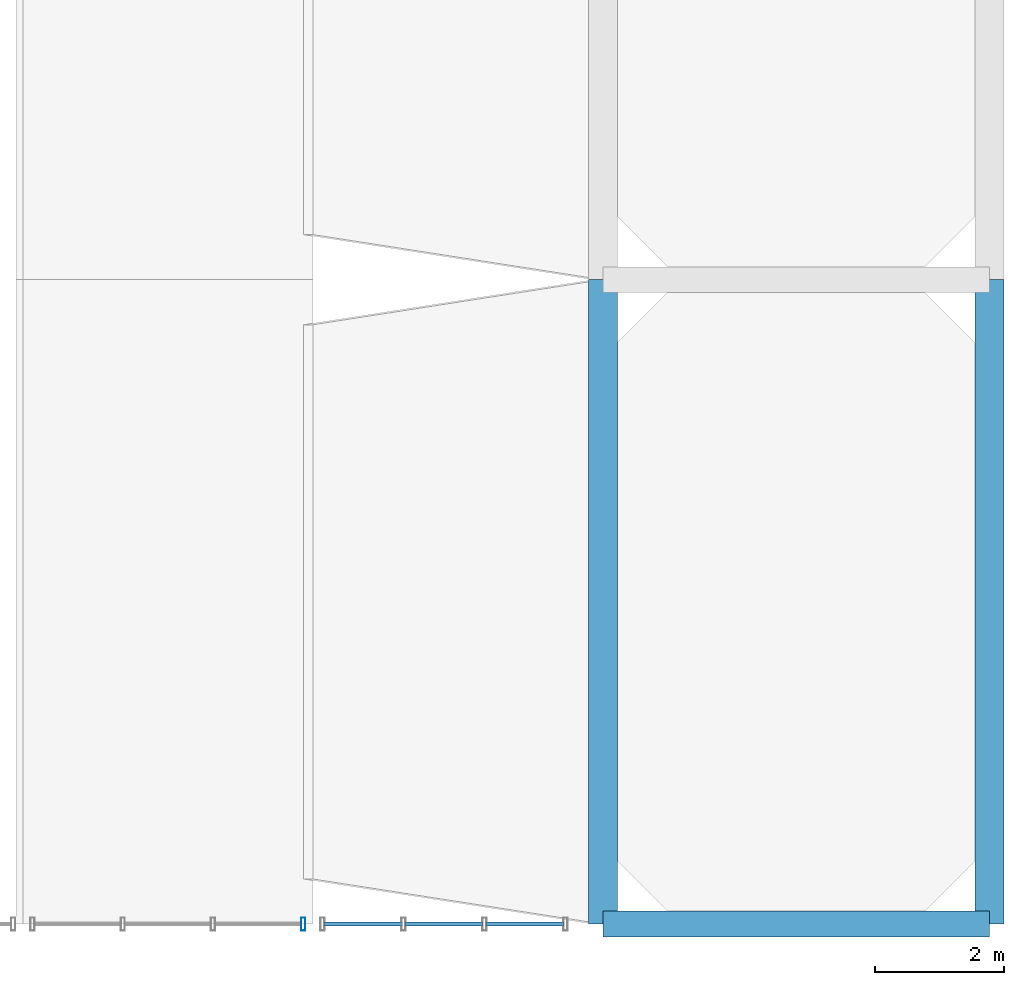
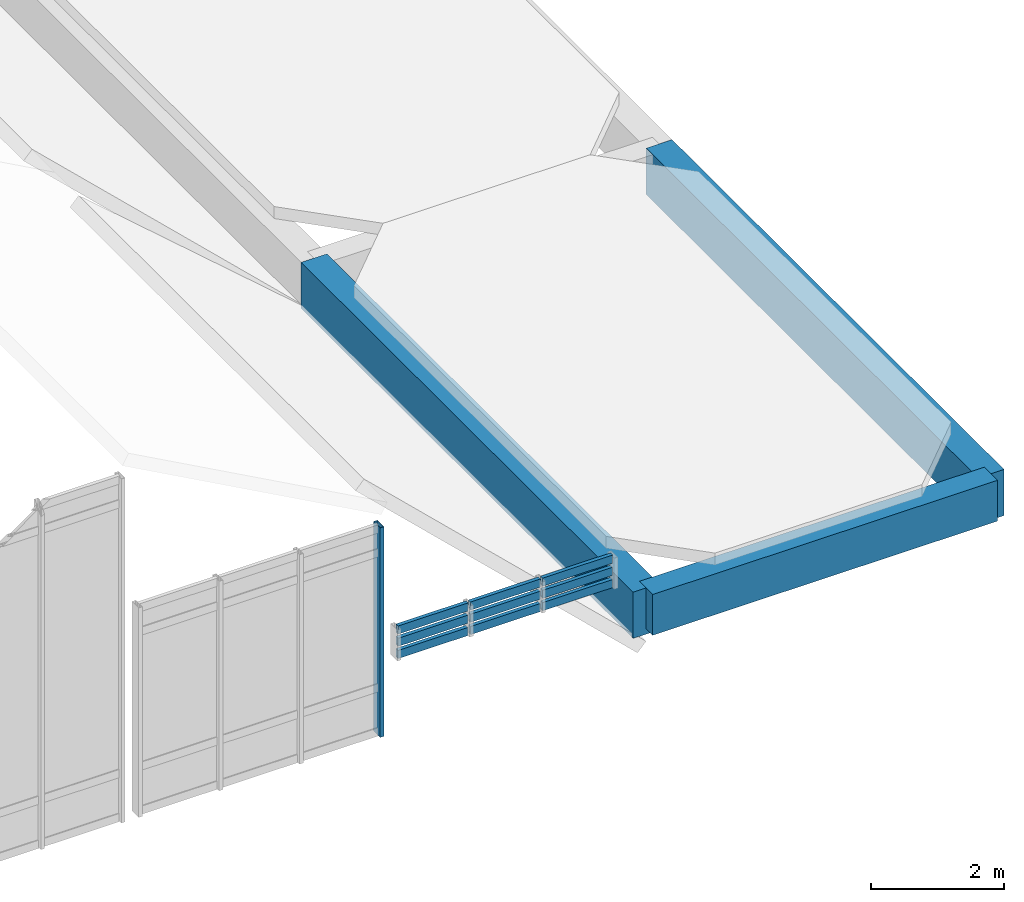
# One storey, part 46 of 82: 10 members, 3 beams, 2 elements without a shape of their own.
"""IFC4 building model written with IfcOpenShell, lengths in metres."""

from ifc_helpers import new_model, si_unit, direction, frame, origin, origin_2d, place, context, subcontext, project, spatial, rectangle, hollow_rectangle, extrude, material, layer, layer_set, material_profile, profile_set, type_object, element, aggregate, save


model = new_model("IFC4")

# Units and contexts
model_context = context("Model", 3, precision=1e-05, world=origin(), true_north=direction((0.0, 1.0)))
body_context = subcontext(model_context, "Body", "Model", "MODEL_VIEW")
ifc_project = project(units=[si_unit("LENGTHUNIT", "METRE"), si_unit("AREAUNIT", "SQUARE_METRE"), si_unit("VOLUMEUNIT", "CUBIC_METRE"), si_unit("PLANEANGLEUNIT", "RADIAN"), si_unit("MASSUNIT", "GRAM", prefix="KILO")], contexts=[model_context])

# Site, building, storey
site_placement = place(None, origin())
site = spatial("IfcSite", under=ifc_project, at=site_placement, CompositionType="ELEMENT")
building_placement = place(site_placement, origin())
building = spatial("IfcBuilding", under=site, at=building_placement, Name="Mersad Railyard Sports Hall", CompositionType="ELEMENT")
storey_placement = place(building_placement, frame((0.0, 0.0, 13.199951171875)))
storey = spatial("IfcBuildingStorey", under=building, at=storey_placement, Name="L03", CompositionType="ELEMENT", Elevation=13.199951171875)

# Curtain wall, member
ifc_material_1 = material(Name="Aluminium 6063-T6", Category="aluminium")
ifc_layer_1 = layer(ifc_material_1, 0.199951171875)
ifc_layer_set_1 = layer_set([ifc_layer_1], Name="Aluminium 6063-T6")
curtain_wall_type_1 = type_object("IfcCurtainWallType", Name="ARC-CW-CW42", PredefinedType="USERDEFINED", material=ifc_layer_set_1)
curtain_wall_1_placement = place(storey_placement, origin())
curtain_wall_1 = element("IfcCurtainWall", 1, at=curtain_wall_1_placement, inside=storey, type_object=curtain_wall_type_1, Name="Curtain wall CW42-0124", ObjectType="CURTAIN WALL", PredefinedType="USERDEFINED")
ifc_material_profile_1 = material_profile(ifc_material_1, hollow_rectangle(XDim=0.06494140625, YDim=0.199951171875, WallThickness=0.0048828125, at=origin_2d()), Name="AL MULLION 65x200x5")
ifc_profile_set_1 = profile_set([ifc_material_profile_1], Name="Aluminium 6063-T6")
member_type_1 = type_object("IfcMemberType", Name="ARC-CW-MUL02", PredefinedType="MULLION", material=ifc_profile_set_1)
member_1_placement = place(storey_placement, frame((168.35009765625, 3.5, -1.27001953125), z_axis=(0.0, 0.0, 1.0), x_axis=(1.0, 0.0, 0.0)))
member_1 = element("IfcMember", 2, at=member_1_placement, type_object=member_type_1, Name="CW42 Mullion 1", PredefinedType="MULLION", context=body_context, shape_type="SweptSolid", body=[
    extrude(hollow_rectangle(XDim=0.06494140625, YDim=0.199951171875, WallThickness=0.0048828125, at=origin_2d()), origin(), (0.0, 0.0, 1.0), 3.85205078125),
])
aggregate(curtain_wall_1, [member_1])

# Curtain wall, members
ifc_layer_2 = layer(ifc_material_1, 0.199951171875)
ifc_layer_set_2 = layer_set([ifc_layer_2], Name="Aluminium 6063-T6")
curtain_wall_type_2 = type_object("IfcCurtainWallType", Name="ARC-CW-CW40", PredefinedType="USERDEFINED", material=ifc_layer_set_2)
curtain_wall_2_placement = place(storey_placement, origin())
curtain_wall_2 = element("IfcCurtainWall", 3, at=curtain_wall_2_placement, inside=storey, type_object=curtain_wall_type_2, Name="Curtain wall CW40-0126", ObjectType="CURTAIN WALL", PredefinedType="USERDEFINED")
ifc_material_profile_2 = material_profile(ifc_material_1, hollow_rectangle(XDim=0.06494140625, YDim=0.14990234375, WallThickness=0.00439453125, at=origin_2d()), Name="AL TRANSOM 65x150x4.5")
ifc_profile_set_2 = profile_set([ifc_material_profile_2], Name="Aluminium 6063-T6")
member_type_2 = type_object("IfcMemberType", Name="ARC-CW-TRN02", PredefinedType="USERDEFINED", material=ifc_profile_set_2)
member_2_placement = place(storey_placement, frame((172.39990234375, 3.5, 0.090087890625), z_axis=(-1.0, 0.0, 0.0), x_axis=(0.0, -1.0, 0.0)))
member_2 = element("IfcMember", 4, at=member_2_placement, type_object=member_type_2, Name="CW40 Transom 1-1", ObjectType="TRANSOM", PredefinedType="USERDEFINED", context=body_context, shape_type="SweptSolid", body=[
    extrude(hollow_rectangle(XDim=0.06494140625, YDim=0.14990234375, WallThickness=0.00439453125, at=origin_2d()), origin(), (0.0, 0.0, 1.0), 1.216552734375),
])
member_3_placement = place(storey_placement, frame((171.143310546875, 3.5, 0.090087890625), z_axis=(-1.0, 0.0, 0.0), x_axis=(0.0, -1.0, 0.0)))
member_3 = element("IfcMember", 5, at=member_3_placement, type_object=member_type_2, Name="CW40 Transom 1-2", ObjectType="TRANSOM", PredefinedType="USERDEFINED", context=body_context, shape_type="SweptSolid", body=[
    extrude(hollow_rectangle(XDim=0.06494140625, YDim=0.14990234375, WallThickness=0.00439453125, at=origin_2d()), origin(), (0.0, 0.0, 1.0), 1.216552734375),
])
member_4_placement = place(storey_placement, frame((169.88671875, 3.5, 0.090087890625), z_axis=(-1.0, 0.0, 0.0), x_axis=(0.0, -1.0, 0.0)))
member_4 = element("IfcMember", 6, at=member_4_placement, type_object=member_type_2, Name="CW40 Transom 1-3", ObjectType="TRANSOM", PredefinedType="USERDEFINED", context=body_context, shape_type="SweptSolid", body=[
    extrude(hollow_rectangle(XDim=0.06494140625, YDim=0.14990234375, WallThickness=0.00439453125, at=origin_2d()), origin(), (0.0, 0.0, 1.0), 1.216796875),
])
member_5_placement = place(storey_placement, frame((172.39990234375, 3.5, 0.31494140625), z_axis=(-1.0, 0.0, 0.0), x_axis=(0.0, -1.0, 0.0)))
member_5 = element("IfcMember", 7, at=member_5_placement, type_object=member_type_2, Name="CW40 Transom 2-1", ObjectType="TRANSOM", PredefinedType="USERDEFINED", context=body_context, shape_type="SweptSolid", body=[
    extrude(hollow_rectangle(XDim=0.06494140625, YDim=0.14990234375, WallThickness=0.00439453125, at=origin_2d()), origin(), (0.0, 0.0, 1.0), 1.216552734375),
])
member_6_placement = place(storey_placement, frame((171.143310546875, 3.5, 0.31494140625), z_axis=(-1.0, 0.0, 0.0), x_axis=(0.0, -1.0, 0.0)))
member_6 = element("IfcMember", 8, at=member_6_placement, type_object=member_type_2, Name="CW40 Transom 2-2", ObjectType="TRANSOM", PredefinedType="USERDEFINED", context=body_context, shape_type="SweptSolid", body=[
    extrude(hollow_rectangle(XDim=0.06494140625, YDim=0.14990234375, WallThickness=0.00439453125, at=origin_2d()), origin(), (0.0, 0.0, 1.0), 1.216552734375),
])
member_7_placement = place(storey_placement, frame((169.88671875, 3.5, 0.31494140625), z_axis=(-1.0, 0.0, 0.0), x_axis=(0.0, -1.0, 0.0)))
member_7 = element("IfcMember", 9, at=member_7_placement, type_object=member_type_2, Name="CW40 Transom 2-3", ObjectType="TRANSOM", PredefinedType="USERDEFINED", context=body_context, shape_type="SweptSolid", body=[
    extrude(hollow_rectangle(XDim=0.06494140625, YDim=0.14990234375, WallThickness=0.00439453125, at=origin_2d()), origin(), (0.0, 0.0, 1.0), 1.216796875),
])
member_8_placement = place(storey_placement, frame((172.39990234375, 3.5, 0.5400390625), z_axis=(-1.0, 0.0, 0.0), x_axis=(0.0, -1.0, 0.0)))
member_8 = element("IfcMember", 10, at=member_8_placement, type_object=member_type_2, Name="CW40 Transom 3-1", ObjectType="TRANSOM", PredefinedType="USERDEFINED", context=body_context, shape_type="SweptSolid", body=[
    extrude(hollow_rectangle(XDim=0.06494140625, YDim=0.14990234375, WallThickness=0.00439453125, at=origin_2d()), origin(), (0.0, 0.0, 1.0), 1.216552734375),
])
member_9_placement = place(storey_placement, frame((171.143310546875, 3.5, 0.5400390625), z_axis=(-1.0, 0.0, 0.0), x_axis=(0.0, -1.0, 0.0)))
member_9 = element("IfcMember", 11, at=member_9_placement, type_object=member_type_2, Name="CW40 Transom 3-2", ObjectType="TRANSOM", PredefinedType="USERDEFINED", context=body_context, shape_type="SweptSolid", body=[
    extrude(hollow_rectangle(XDim=0.06494140625, YDim=0.14990234375, WallThickness=0.00439453125, at=origin_2d()), origin(), (0.0, 0.0, 1.0), 1.216552734375),
])
member_10_placement = place(storey_placement, frame((169.88671875, 3.5, 0.5400390625), z_axis=(-1.0, 0.0, 0.0), x_axis=(0.0, -1.0, 0.0)))
member_10 = element("IfcMember", 12, at=member_10_placement, type_object=member_type_2, Name="CW40 Transom 3-3", ObjectType="TRANSOM", PredefinedType="USERDEFINED", context=body_context, shape_type="SweptSolid", body=[
    extrude(hollow_rectangle(XDim=0.06494140625, YDim=0.14990234375, WallThickness=0.00439453125, at=origin_2d()), origin(), (0.0, 0.0, 1.0), 1.216796875),
])
aggregate(curtain_wall_2, [member_2, member_3, member_4, member_5, member_6, member_7, member_8, member_9, member_10])

# Beams
ifc_material_2 = material(Name="Concrete C40/50", Category="concrete")
ifc_material_profile_3 = material_profile(ifc_material_2, rectangle(XDim=0.39990234375, YDim=0.75, at=origin_2d()), Name="RC 400x750")
ifc_profile_set_3 = profile_set([ifc_material_profile_3], Name="Concrete C40/50")
beam_type_1 = type_object("IfcBeamType", Name="STR-BM-B01", PredefinedType="BEAM", material=ifc_profile_set_3)
beam_placement = place(storey_placement, frame((173.0, 3.5, -0.594970703125), z_axis=(1.0, 0.0, 0.0), x_axis=(0.0, 1.0, 0.0)))
element("IfcBeam", 13, at=beam_placement, inside=storey, type_object=beam_type_1, Name="Beam B01-0683", PredefinedType="BEAM", context=body_context, shape_type="SweptSolid", body=[
    extrude(rectangle(XDim=0.39990234375, YDim=0.75, at=origin_2d()), origin(), (0.0, 0.0, 1.0), 6.0),
])
ifc_material_profile_4 = material_profile(ifc_material_2, rectangle(XDim=0.449951171875, YDim=0.85009765625, at=origin_2d()), Name="RC 450x850")
ifc_profile_set_4 = profile_set([ifc_material_profile_4], Name="Concrete C40/50")
beam_type_2 = type_object("IfcBeamType", Name="STR-BM-B02", PredefinedType="BEAM", material=ifc_profile_set_4)
for number, where, z_axis, x_axis, name in (
    (14, (173.0, 3.5, -0.64501953125), (0.0, 1.0, 0.0), (-1.0, 0.0, 0.0), "Beam B02-0691"),
    (15, (179.0, 3.5, -0.64501953125), (0.0, 1.0, 0.0), (-1.0, 0.0, 0.0), "Beam B02-0698"),
):
    element("IfcBeam", number, at=place(storey_placement, frame(where, z_axis=z_axis, x_axis=x_axis)), inside=storey, type_object=beam_type_2, Name=name, PredefinedType="BEAM", context=body_context, shape_type="SweptSolid", body=[
        extrude(rectangle(XDim=0.449951171875, YDim=0.85009765625, at=origin_2d()), origin(), (0.0, 0.0, 1.0), 10.0),
    ])

save(model, "model.ifc")
